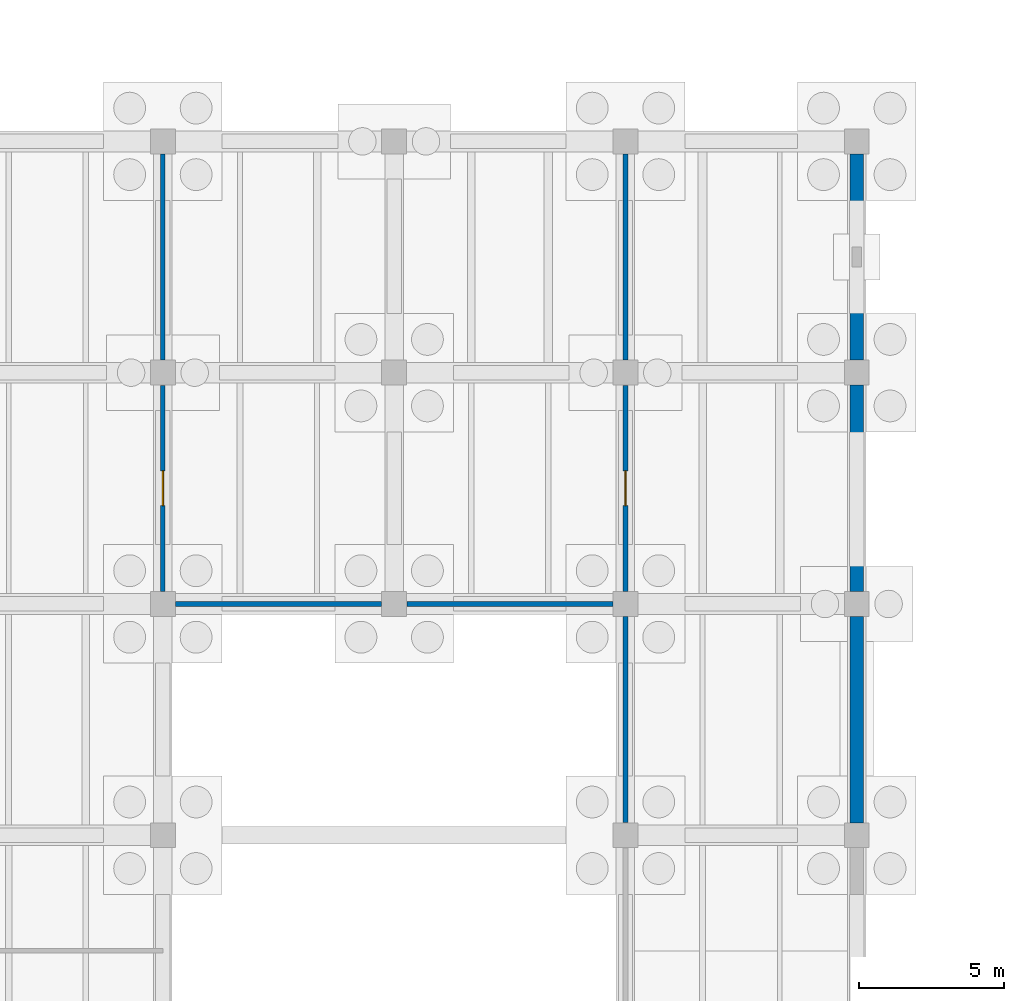
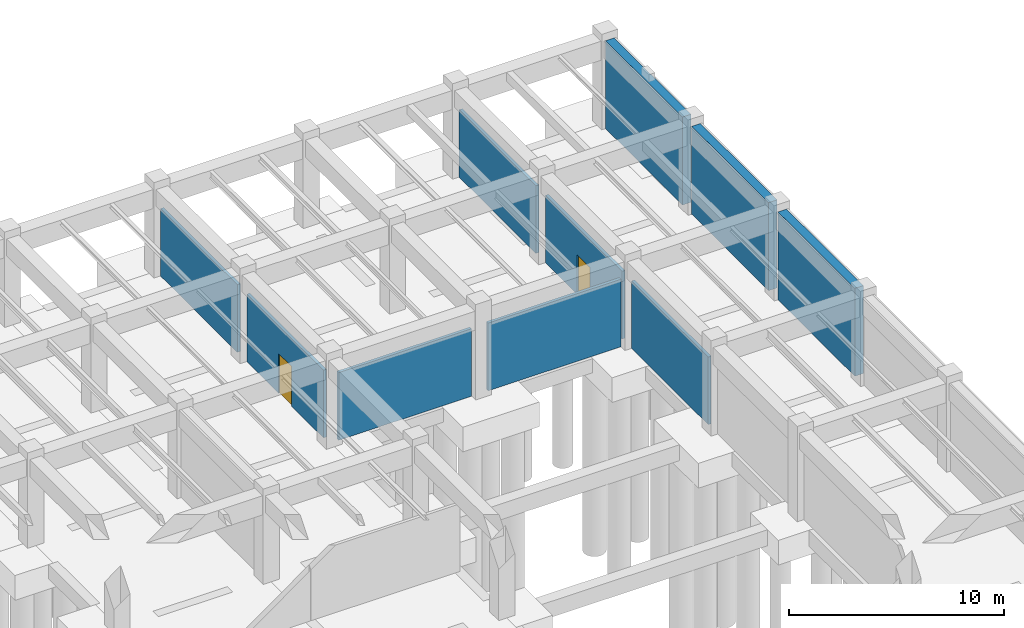
# One storey, part 30 of 44: 10 walls, 2 doors, 2 openings.
"""IFC4 building model written with IfcOpenShell, lengths in metres."""

from ifc_helpers import new_model, si_unit, direction, frame, frame_2d, origin, place, context, subcontext, project, spatial, rectangle, extrude, material, layer, layer_set, type_object, element, fill, save


model = new_model("IFC4")

# Units and contexts
model_context = context("Model", 3, precision=1e-05, world=origin(), true_north=direction((0.0, 1.0)))
body_context = subcontext(model_context, "Body", "Model", "MODEL_VIEW")
ifc_project = project(units=[si_unit("LENGTHUNIT", "METRE"), si_unit("AREAUNIT", "SQUARE_METRE"), si_unit("VOLUMEUNIT", "CUBIC_METRE"), si_unit("PLANEANGLEUNIT", "RADIAN"), si_unit("MASSUNIT", "GRAM", prefix="KILO")], contexts=[model_context])

# Site, building, storey
site_placement = place(None, origin())
site = spatial("IfcSite", under=ifc_project, at=site_placement, CompositionType="ELEMENT")
building_placement = place(site_placement, origin())
building = spatial("IfcBuilding", under=site, at=building_placement, Name="Pecanmere Concourse Central Library", CompositionType="ELEMENT")
storey_placement = place(building_placement, frame((0.0, 0.0, -5.39990234375)))
storey = spatial("IfcBuildingStorey", under=building, at=storey_placement, Name="B1", CompositionType="ELEMENT", Elevation=-5.39990234375)

# Wall
ifc_material_1 = material(Name="Fire-rated gypsum board on acoustic steel stud", Category="steel")
ifc_layer_1 = layer(ifc_material_1, 0.159912109375, Name="IW_PART_160")
ifc_layer_set_1 = layer_set([ifc_layer_1], Name="Fire-rated gypsum board on acoustic steel stud")
wall_type_1 = type_object("IfcWallType", Name="IW_PART_160", PredefinedType="PARTITIONING", material=ifc_layer_set_1)
wall_1_placement = place(storey_placement, frame((144.0, 82.43994140625, 0.0), z_axis=(0.0, 0.0, 1.0), x_axis=(0.0, 1.0, 0.0)))
element("IfcWall", 1, at=wall_1_placement, inside=storey, type_object=wall_type_1, Name="Interior Partition B1-0021", PredefinedType="PARTITIONING", context=body_context, shape_type="SweptSolid", body=[
    extrude(rectangle(XDim=7.1201171875, YDim=0.159912109375, at=frame_2d((3.56005859375, 0.0))), origin(), (0.0, 0.0, 1.0), 3.829833984375),
])

# Wall, opening, door
wall_2_placement = place(storey_placement, frame((144.0, 90.43994140625, 0.0), z_axis=(0.0, 0.0, 1.0), x_axis=(0.0, 1.0, 0.0)))
wall_2 = element("IfcWall", 2, at=wall_2_placement, inside=storey, type_object=wall_type_1, Name="Interior Partition B1-0022", PredefinedType="PARTITIONING", context=body_context, shape_type="SweptSolid", body=[
    extrude(rectangle(XDim=7.1201171875, YDim=0.159912109375, at=frame_2d((3.56005859375, 0.0))), origin(), (0.0, 0.0, 1.0), 3.829833984375),
])
opening_1_placement = place(wall_2_placement, frame((2.9599609375, 0.0, 0.0)))
opening_1 = element("IfcOpeningElement", 3, at=opening_1_placement, cuts=wall_2, Name="Opening FD-04", PredefinedType="OPENING", context=body_context, shape_type="SweptSolid", body=[
    extrude(rectangle(XDim=1.199951171875, YDim=2.25, at=frame_2d((0.60009765625, 1.125))), frame((0.0, 0.091796875, 0.0), z_axis=(0.0, -1.0, 0.0), x_axis=(1.0, 0.0, 0.0)), (0.0, 0.0, 1.0), 0.183837890625),
])
ifc_material_2 = material(Name="Painted architectural steel ASTM A36", Category="steel")
door_type = type_object("IfcDoorType", Name="FD-04", OperationType="SINGLE_SWING_LEFT", PredefinedType="DOOR", material=ifc_material_2)
door_1_placement = place(opening_1_placement, frame((1.199951171875, 0.0, 0.0), z_axis=(0.0, 0.0, 1.0), x_axis=(-1.0, 0.0, 0.0)))
door_1 = element("IfcDoor", 4, at=door_1_placement, inside=storey, type_object=door_type, Name="D-133", OperationType="SINGLE_SWING_LEFT", OverallHeight=2.25, OverallWidth=1.199951171875, PredefinedType="DOOR", context=body_context, shape_type="SweptSolid", body=[
    extrude(rectangle(XDim=1.199951171875, YDim=2.25, at=frame_2d((0.60009765625, 1.125))), frame((0.0, 0.02490234375, 0.0), z_axis=(0.0, -1.0, 0.0), x_axis=(1.0, 0.0, 0.0)), (0.0, 0.0, 1.0), 0.050048828125),
])
fill(opening_1, door_1)

# Walls
for number, where, z_axis, x_axis, name in (
    (5, (144.0, 98.43994140625, 0.0), (0.0, 0.0, 1.0), (0.0, 1.0, 0.0), "Interior Partition B1-0023"),
    (6, (128.43994140625, 90.0, 0.0), (0.0, 0.0, 1.0), (1.0, 0.0, 0.0), "Interior Partition B1-0032"),
    (7, (136.43994140625, 90.0, 0.0), (0.0, 0.0, 1.0), (1.0, 0.0, 0.0), "Interior Partition B1-0033"),
):
    element("IfcWall", number, at=place(storey_placement, frame(where, z_axis=z_axis, x_axis=x_axis)), inside=storey, type_object=wall_type_1, Name=name, PredefinedType="PARTITIONING", context=body_context, shape_type="SweptSolid", body=[
        extrude(rectangle(XDim=7.1201171875, YDim=0.159912109375, at=frame_2d((3.56005859375, 0.0))), origin(), (0.0, 0.0, 1.0), 3.829833984375),
    ])

# Wall, opening, door
wall_3_placement = place(storey_placement, frame((128.0, 90.43994140625, 0.0), z_axis=(0.0, 0.0, 1.0), x_axis=(0.0, 1.0, 0.0)))
wall_3 = element("IfcWall", 8, at=wall_3_placement, inside=storey, type_object=wall_type_1, Name="Interior Partition B1-0034", PredefinedType="PARTITIONING", context=body_context, shape_type="SweptSolid", body=[
    extrude(rectangle(XDim=7.1201171875, YDim=0.159912109375, at=frame_2d((3.56005859375, 0.0))), origin(), (0.0, 0.0, 1.0), 3.829833984375),
])
opening_2_placement = place(wall_3_placement, frame((2.9599609375, 0.0, 0.0)))
opening_2 = element("IfcOpeningElement", 9, at=opening_2_placement, cuts=wall_3, Name="Opening FD-04", PredefinedType="OPENING", context=body_context, shape_type="SweptSolid", body=[
    extrude(rectangle(XDim=1.199951171875, YDim=2.25, at=frame_2d((0.60009765625, 1.125))), frame((0.0, 0.091796875, 0.0), z_axis=(0.0, -1.0, 0.0), x_axis=(1.0, 0.0, 0.0)), (0.0, 0.0, 1.0), 0.183837890625),
])
door_2_placement = place(opening_2_placement, origin())
door_2 = element("IfcDoor", 10, at=door_2_placement, inside=storey, type_object=door_type, Name="D-136", OperationType="SINGLE_SWING_LEFT", OverallHeight=2.25, OverallWidth=1.199951171875, PredefinedType="DOOR", context=body_context, shape_type="SweptSolid", body=[
    extrude(rectangle(XDim=1.199951171875, YDim=2.25, at=frame_2d((0.60009765625, 1.125))), frame((0.0, 0.02490234375, 0.0), z_axis=(0.0, -1.0, 0.0), x_axis=(1.0, 0.0, 0.0)), (0.0, 0.0, 1.0), 0.050048828125),
])
fill(opening_2, door_2)

# Walls
wall_4_placement = place(storey_placement, frame((128.0, 98.43994140625, 0.0), z_axis=(0.0, 0.0, 1.0), x_axis=(0.0, 1.0, 0.0)))
element("IfcWall", 11, at=wall_4_placement, inside=storey, type_object=wall_type_1, Name="Interior Partition B1-0035", PredefinedType="PARTITIONING", context=body_context, shape_type="SweptSolid", body=[
    extrude(rectangle(XDim=7.1201171875, YDim=0.159912109375, at=frame_2d((3.56005859375, 0.0))), origin(), (0.0, 0.0, 1.0), 3.829833984375),
])
ifc_material_3 = material(Name="Concrete C40/50", Category="concrete")
ifc_layer_2 = layer(ifc_material_3, 0.4599609375, Name="WALL_RET_460")
ifc_layer_set_2 = layer_set([ifc_layer_2], Name="Concrete C40/50")
wall_type_2 = type_object("IfcWallType", Name="WALL_RET_460", PredefinedType="USERDEFINED", material=ifc_layer_set_2)
for number, where, z_axis, x_axis, name in (
    (12, (152.0, 82.429931640625, 0.0), (0.0, 0.0, 1.0), (0.0, 1.0, 0.0), "Basement Retaining Wall B1-016"),
    (13, (152.0, 90.429931640625, 0.0), (0.0, 0.0, 1.0), (0.0, 1.0, 0.0), "Basement Retaining Wall B1-017"),
    (14, (152.0, 98.429931640625, 0.0), (0.0, 0.0, 1.0), (0.0, 1.0, 0.0), "Basement Retaining Wall B1-018"),
):
    element("IfcWall", number, at=place(storey_placement, frame(where, z_axis=z_axis, x_axis=x_axis)), inside=storey, type_object=wall_type_2, Name=name, ObjectType="RETAININGWALL", PredefinedType="USERDEFINED", context=body_context, shape_type="SweptSolid", body=[
        extrude(rectangle(XDim=7.14013671875, YDim=0.4599609375, at=frame_2d((3.570068359375, 0.0))), origin(), (0.0, 0.0, 1.0), 4.97998046875),
    ])

save(model, "model.ifc")
